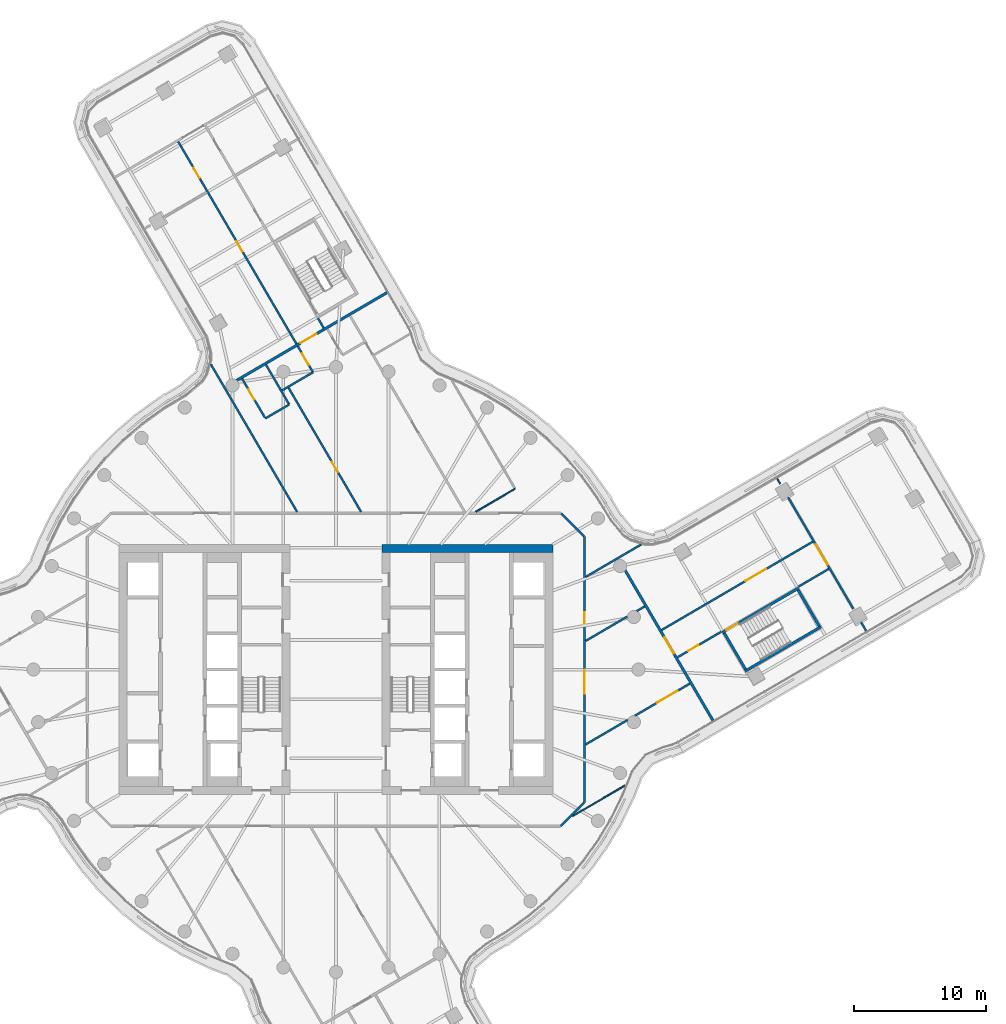
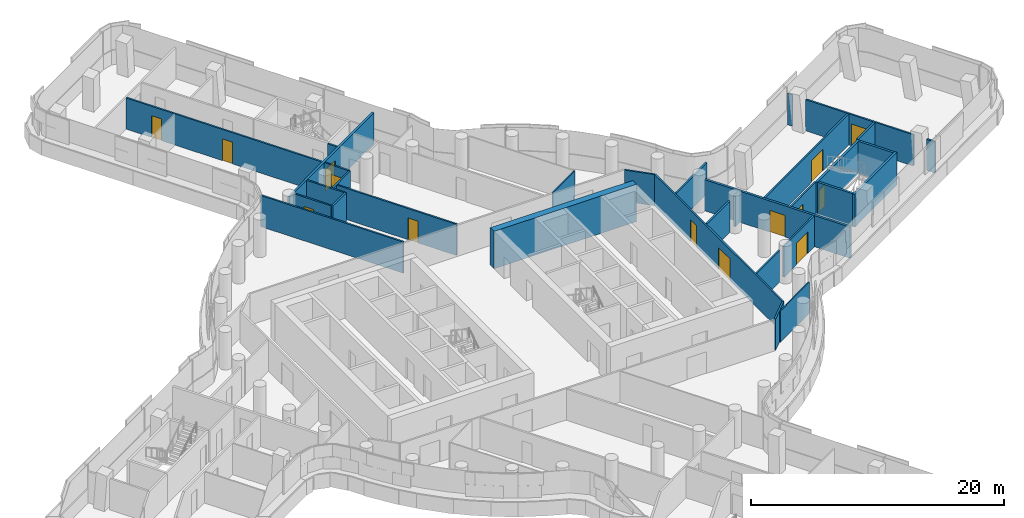
# One storey, part 24 of 35: 31 walls, 14 doors, 14 openings.
"""IFC4 building model written with IfcOpenShell, lengths in metres."""

from ifc_helpers import new_model, si_unit, direction, frame, frame_2d, origin, place, context, subcontext, project, spatial, polyline, rectangle, outline, extrude, material, layer, layer_set, type_object, element, fill, save


model = new_model("IFC4")

# Units and contexts
model_context = context("Model", 3, precision=1e-05, world=origin(), true_north=direction((0.0, 1.0)))
body_context = subcontext(model_context, "Body", "Model", "MODEL_VIEW")
ifc_project = project(units=[si_unit("LENGTHUNIT", "METRE"), si_unit("AREAUNIT", "SQUARE_METRE"), si_unit("VOLUMEUNIT", "CUBIC_METRE"), si_unit("PLANEANGLEUNIT", "RADIAN"), si_unit("MASSUNIT", "GRAM", prefix="KILO")], contexts=[model_context])

# Site, building, storey
site_placement = place(None, origin())
site = spatial("IfcSite", under=ifc_project, at=site_placement, CompositionType="ELEMENT")
building_placement = place(site_placement, origin())
building = spatial("IfcBuilding", under=site, at=building_placement, Name="Tamarind Cross Interchange Tower", CompositionType="ELEMENT")
storey_placement = place(building_placement, frame((0.0, 0.0, 144.25)))
storey = spatial("IfcBuildingStorey", under=building, at=storey_placement, Name="L35", CompositionType="ELEMENT", Elevation=144.25)

# Walls
ifc_material_1 = material(Name="Concrete C60", Category="concrete")
ifc_layer_1 = layer(ifc_material_1, 0.60009765625)
ifc_layer_set_1 = layer_set([ifc_layer_1], Name="Concrete C60")
wall_type_1 = type_object("IfcWallType", Name="Core wall 600 mm Concrete C60", PredefinedType="SHEAR", material=ifc_layer_set_1)
wall_1_placement = place(storey_placement, frame((16.5, 9.199951171875, 0.0), z_axis=(0.0, 0.0, 1.0), x_axis=(-1.0, 0.0, 0.0)))
element("IfcWall", 1, at=wall_1_placement, inside=storey, type_object=wall_type_1, Name="Core wall CWL-L35-E-NE", PredefinedType="SHEAR", context=body_context, shape_type="SweptSolid", body=[
    extrude(rectangle(XDim=13.0, YDim=0.60009765625, at=frame_2d((6.5, 0.0))), origin(), (0.0, 0.0, 1.0), 3.610107421875),
])
ifc_material_2 = material(Name="Gypsum board partition on steel studs", Category="steel")
ifc_layer_2 = layer(ifc_material_2, 0.10009765625)
ifc_layer_set_2 = layer_set([ifc_layer_2], Name="Gypsum board partition on steel studs")
wall_type_2 = type_object("IfcWallType", Name="Partition 100 mm EI 120", PredefinedType="PARTITIONING", material=ifc_layer_set_2)
wall_2_placement = place(storey_placement, frame((10.63330078125, 11.998291015625, 0.0), z_axis=(0.0, 0.0, 1.0), x_axis=(0.863323711201, 0.504650542136, 0.0)))
element("IfcWall", 2, at=wall_2_placement, inside=storey, type_object=wall_type_2, Name="Partition L35-061", PredefinedType="PARTITIONING", context=body_context, shape_type="SweptSolid", body=[
    extrude(rectangle(XDim=3.46533203125, YDim=0.10009765625, at=frame_2d((1.732666015625, 0.0))), origin(), (0.0, 0.0, 1.0), 3.010009765625),
])
wall_3_placement = place(storey_placement, frame((17.9921875, -11.144287109375, 0.0), z_axis=(0.0, 0.0, 1.0), x_axis=(0.863423214725, 0.504480279371, 0.0)))
element("IfcWall", 3, at=wall_3_placement, inside=storey, type_object=wall_type_2, Name="Partition L35-062", PredefinedType="PARTITIONING", context=body_context, shape_type="SweptSolid", body=[
    extrude(rectangle(XDim=4.63330078125, YDim=0.10009765625, at=frame_2d((2.316650390625, 0.0))), origin(), (0.0, 0.0, 1.0), 3.010009765625),
])
ifc_layer_3 = layer(ifc_material_2, 0.10009765625)
ifc_layer_set_3 = layer_set([ifc_layer_3], Name="Gypsum board partition on steel studs")
wall_type_3 = type_object("IfcWallType", Name="Partition 100 mm EI 90", PredefinedType="PARTITIONING", material=ifc_layer_set_3)
wall_4_placement = place(storey_placement, frame((33.548583984375, 14.527099609375, 0.0), z_axis=(0.0, 0.0, 1.0), x_axis=(0.504363499444, -0.863491436222, 0.0)))
element("IfcWall", 4, at=wall_4_placement, inside=storey, type_object=wall_type_3, Name="Partition L35-031", PredefinedType="PARTITIONING", context=body_context, shape_type="SweptSolid", body=[
    extrude(rectangle(XDim=0.462158203125, YDim=0.10009765625, at=frame_2d((0.23095703125, 0.0))), origin(), (0.0, 0.0, 1.0), 3.010009765625),
])

# Wall, openings, doors
ifc_layer_4 = layer(ifc_material_2, 0.14990234375)
ifc_layer_set_4 = layer_set([ifc_layer_4], Name="Gypsum board partition on steel studs")
wall_type_4 = type_object("IfcWallType", Name="Partition 150 mm EI 120", PredefinedType="PARTITIONING", material=ifc_layer_set_4)
wall_5_placement = place(storey_placement, frame((-11.997314453125, 40.152099609375, 0.0), z_axis=(0.0, 0.0, 1.0), x_axis=(0.504565342265, -0.863373508619, 0.0)))
wall_5 = element("IfcWall", 5, at=wall_5_placement, inside=storey, type_object=wall_type_4, Name="Partition L35-011", PredefinedType="PARTITIONING", context=body_context, shape_type="SweptSolid", body=[
    extrude(rectangle(XDim=20.305908203125, YDim=0.14990234375, at=frame_2d((10.15283203125, 0.0))), origin(), (0.0, 0.0, 1.0), 3.010009765625),
])
opening_1_placement = place(wall_5_placement, frame((18.67529296875, 0.0, 0.0)))
opening_1 = element("IfcOpeningElement", 6, at=opening_1_placement, cuts=wall_5, Name="Opening D03", PredefinedType="OPENING", context=body_context, shape_type="SweptSolid", body=[
    extrude(rectangle(XDim=1.0, YDim=2.10009765625, at=frame_2d((0.5, 1.050048828125))), frame((0.0, 0.0849609375, 0.0), z_axis=(0.0, -1.0, 0.0), x_axis=(1.0, 0.0, 0.0)), (0.0, 0.0, 1.0), 0.169921875),
])
opening_2_placement = place(wall_5_placement, frame((8.77587890625, 0.0, 0.0)))
opening_2 = element("IfcOpeningElement", 7, at=opening_2_placement, cuts=wall_5, Name="Opening D04", PredefinedType="OPENING", context=body_context, shape_type="SweptSolid", body=[
    extrude(rectangle(XDim=0.89990234375, YDim=2.10009765625, at=frame_2d((0.449951171875, 1.050048828125))), frame((0.0, 0.0849609375, 0.0), z_axis=(0.0, -1.0, 0.0), x_axis=(1.0, 0.0, 0.0)), (0.0, 0.0, 1.0), 0.169921875),
])
opening_3_placement = place(wall_5_placement, frame((2.324951171875, 0.0, 0.0)))
opening_3 = element("IfcOpeningElement", 8, at=opening_3_placement, cuts=wall_5, Name="Opening D05", PredefinedType="OPENING", context=body_context, shape_type="SweptSolid", body=[
    extrude(rectangle(XDim=0.89990234375, YDim=2.10009765625, at=frame_2d((0.449951171875, 1.050048828125))), frame((0.0, 0.0849609375, 0.0), z_axis=(0.0, -1.0, 0.0), x_axis=(1.0, 0.0, 0.0)), (0.0, 0.0, 1.0), 0.169921875),
])
ifc_material_3 = material(Name="Fire-resisting door set")
door_type_1 = type_object("IfcDoorType", Name="Interior door 1000 x 2100 FD60S", OperationType="SINGLE_SWING_LEFT", PredefinedType="DOOR", material=ifc_material_3)
door_1_placement = place(opening_1_placement, frame((1.0, 0.0, 0.0), z_axis=(0.0, 0.0, 1.0), x_axis=(-1.0, 0.0, 0.0)))
door_1 = element("IfcDoor", 9, at=door_1_placement, inside=storey, type_object=door_type_1, Name="Door D03", OperationType="SINGLE_SWING_RIGHT", OverallHeight=2.10009765625, OverallWidth=1.0, PredefinedType="DOOR", context=body_context, shape_type="SweptSolid", body=[
    extrude(rectangle(XDim=1.0, YDim=2.10009765625, at=frame_2d((0.5, 1.050048828125))), frame((0.0, 0.02490234375, 0.0), z_axis=(0.0, -1.0, 0.0), x_axis=(1.0, 0.0, 0.0)), (0.0, 0.0, 1.0), 0.050048828125),
])
fill(opening_1, door_1)
door_type_2 = type_object("IfcDoorType", Name="Interior door 900 x 2100 FD60S", OperationType="SINGLE_SWING_LEFT", PredefinedType="DOOR", material=ifc_material_3)
door_2_placement = place(opening_2_placement, frame((0.89990234375, 0.0, 0.0), z_axis=(0.0, 0.0, 1.0), x_axis=(-1.0, 0.0, 0.0)))
door_2 = element("IfcDoor", 10, at=door_2_placement, inside=storey, type_object=door_type_2, Name="Door D04", OperationType="SINGLE_SWING_LEFT", OverallHeight=2.10009765625, OverallWidth=0.89990234375, PredefinedType="DOOR", context=body_context, shape_type="SweptSolid", body=[
    extrude(rectangle(XDim=0.89990234375, YDim=2.10009765625, at=frame_2d((0.449951171875, 1.050048828125))), frame((0.0, 0.02490234375, 0.0), z_axis=(0.0, -1.0, 0.0), x_axis=(1.0, 0.0, 0.0)), (0.0, 0.0, 1.0), 0.050048828125),
])
fill(opening_2, door_2)
door_3_placement = place(opening_3_placement, frame((0.89990234375, 0.0, 0.0), z_axis=(0.0, 0.0, 1.0), x_axis=(-1.0, 0.0, 0.0)))
door_3 = element("IfcDoor", 11, at=door_3_placement, inside=storey, type_object=door_type_2, Name="Door D05", OperationType="SINGLE_SWING_LEFT", OverallHeight=2.10009765625, OverallWidth=0.89990234375, PredefinedType="DOOR", context=body_context, shape_type="SweptSolid", body=[
    extrude(rectangle(XDim=0.89990234375, YDim=2.10009765625, at=frame_2d((0.449951171875, 1.050048828125))), frame((0.0, 0.02490234375, 0.0), z_axis=(0.0, -1.0, 0.0), x_axis=(1.0, 0.0, 0.0)), (0.0, 0.0, 1.0), 0.050048828125),
])
fill(opening_3, door_3)

# Walls
wall_6_placement = place(storey_placement, frame((-1.365478515625, 26.715087890625, 0.0), z_axis=(0.0, 0.0, 1.0), x_axis=(0.504611977956, -0.863346252499, 0.0)))
element("IfcWall", 12, at=wall_6_placement, inside=storey, type_object=wall_type_4, Name="Partition L35-013", PredefinedType="PARTITIONING", context=body_context, shape_type="SweptSolid", body=[
    extrude(rectangle(XDim=0.860107421875, YDim=0.14990234375, at=frame_2d((0.43017578125, 0.0))), origin(), (0.0, 0.0, 1.0), 3.010009765625),
])
wall_7_placement = place(storey_placement, frame((-9.515625, 23.22021484375, 0.0), z_axis=(0.0, 0.0, 1.0), x_axis=(0.504508390898, -0.863406789128, 0.0)))
element("IfcWall", 13, at=wall_7_placement, inside=storey, type_object=wall_type_4, Name="Partition L35-016", PredefinedType="PARTITIONING", context=body_context, shape_type="SweptSolid", body=[
    extrude(rectangle(XDim=13.0009765625, YDim=0.14990234375, at=frame_2d((6.50048828125, 0.0))), origin(), (0.0, 0.0, 1.0), 3.010009765625),
])

# Wall, opening, door
wall_8_placement = place(storey_placement, frame((-7.133544921875, 22.11669921875, 0.0), z_axis=(0.0, 0.0, 1.0), x_axis=(0.504522469431, -0.863398562565, 0.0)))
wall_8 = element("IfcWall", 14, at=wall_8_placement, inside=storey, type_object=wall_type_4, Name="Partition L35-017", PredefinedType="PARTITIONING", context=body_context, shape_type="SweptSolid", body=[
    extrude(rectangle(XDim=3.424560546875, YDim=0.14990234375, at=frame_2d((1.71240234375, 0.0))), origin(), (0.0, 0.0, 1.0), 3.010009765625),
])
opening_4_placement = place(wall_8_placement, frame((0.949951171875, 0.0, 0.0)))
opening_4 = element("IfcOpeningElement", 15, at=opening_4_placement, cuts=wall_8, Name="Opening D09", PredefinedType="OPENING", context=body_context, shape_type="SweptSolid", body=[
    extrude(rectangle(XDim=0.89990234375, YDim=2.10009765625, at=frame_2d((0.449951171875, 1.050048828125))), frame((0.0, 0.0849609375, 0.0), z_axis=(0.0, -1.0, 0.0), x_axis=(1.0, 0.0, 0.0)), (0.0, 0.0, 1.0), 0.169921875),
])
door_4_placement = place(opening_4_placement, origin())
door_4 = element("IfcDoor", 16, at=door_4_placement, inside=storey, type_object=door_type_2, Name="Door D09", OperationType="SINGLE_SWING_RIGHT", OverallHeight=2.10009765625, OverallWidth=0.89990234375, PredefinedType="DOOR", context=body_context, shape_type="SweptSolid", body=[
    extrude(rectangle(XDim=0.89990234375, YDim=2.10009765625, at=frame_2d((0.449951171875, 1.050048828125))), frame((0.0, 0.02490234375, 0.0), z_axis=(0.0, -1.0, 0.0), x_axis=(1.0, 0.0, 0.0)), (0.0, 0.0, 1.0), 0.050048828125),
])
fill(opening_4, door_4)

# Wall
wall_9_placement = place(storey_placement, frame((-5.318115234375, 23.17236328125, 0.0), z_axis=(0.0, 0.0, 1.0), x_axis=(0.504499996909, -0.863411693874, 0.0)))
element("IfcWall", 17, at=wall_9_placement, inside=storey, type_object=wall_type_4, Name="Partition L35-018", PredefinedType="PARTITIONING", context=body_context, shape_type="SweptSolid", body=[
    extrude(rectangle(XDim=3.474609375, YDim=0.14990234375, at=frame_2d((1.7373046875, 0.0))), origin(), (0.0, 0.0, 1.0), 3.010009765625),
])

# Wall, opening, door
wall_10_placement = place(storey_placement, frame((-3.604248046875, 21.42919921875, 0.0), z_axis=(0.0, 0.0, 1.0), x_axis=(0.504518269276, -0.86340101689, 0.0)))
wall_10 = element("IfcWall", 18, at=wall_10_placement, inside=storey, type_object=wall_type_4, Name="Partition L35-019", PredefinedType="PARTITIONING", context=body_context, shape_type="SweptSolid", body=[
    extrude(rectangle(XDim=10.9267578125, YDim=0.14990234375, at=frame_2d((5.46337890625, 0.0))), origin(), (0.0, 0.0, 1.0), 3.010009765625),
])
opening_5_placement = place(wall_10_placement, frame((6.52490234375, 0.0, 0.0)))
opening_5 = element("IfcOpeningElement", 19, at=opening_5_placement, cuts=wall_10, Name="Opening D10", PredefinedType="OPENING", context=body_context, shape_type="SweptSolid", body=[
    extrude(rectangle(XDim=0.89990234375, YDim=2.10009765625, at=frame_2d((0.449951171875, 1.050048828125))), frame((0.0, 0.0849609375, 0.0), z_axis=(0.0, -1.0, 0.0), x_axis=(1.0, 0.0, 0.0)), (0.0, 0.0, 1.0), 0.169921875),
])
door_5_placement = place(opening_5_placement, frame((0.89990234375, 0.0, 0.0), z_axis=(0.0, 0.0, 1.0), x_axis=(-1.0, 0.0, 0.0)))
door_5 = element("IfcDoor", 20, at=door_5_placement, inside=storey, type_object=door_type_2, Name="Door D10", OperationType="SINGLE_SWING_RIGHT", OverallHeight=2.10009765625, OverallWidth=0.89990234375, PredefinedType="DOOR", context=body_context, shape_type="SweptSolid", body=[
    extrude(rectangle(XDim=0.89990234375, YDim=2.10009765625, at=frame_2d((0.449951171875, 1.050048828125))), frame((0.0, 0.02490234375, 0.0), z_axis=(0.0, -1.0, 0.0), x_axis=(1.0, 0.0, 0.0)), (0.0, 0.0, 1.0), 0.050048828125),
])
fill(opening_5, door_5)

wall_11_placement = place(storey_placement, frame((34.38330078125, 13.098388671875, 0.0), z_axis=(0.0, 0.0, 1.0), x_axis=(0.50438943911, -0.863476284396, 0.0)))
wall_11 = element("IfcWall", 21, at=wall_11_placement, inside=storey, type_object=wall_type_4, Name="Partition L35-032", PredefinedType="PARTITIONING", context=body_context, shape_type="SweptSolid", body=[
    extrude(rectangle(XDim=9.807373046875, YDim=0.14990234375, at=frame_2d((4.90380859375, 0.0))), origin(), (0.0, 0.0, 1.0), 3.010009765625),
])
opening_6_placement = place(wall_11_placement, frame((4.16162109375, 0.0, 0.0)))
opening_6 = element("IfcOpeningElement", 22, at=opening_6_placement, cuts=wall_11, Name="Opening D19", PredefinedType="OPENING", context=body_context, shape_type="SweptSolid", body=[
    extrude(rectangle(XDim=1.800048828125, YDim=2.10009765625, at=frame_2d((0.89990234375, 1.050048828125))), frame((0.0, 0.0849609375, 0.0), z_axis=(0.0, -1.0, 0.0), x_axis=(1.0, 0.0, 0.0)), (0.0, 0.0, 1.0), 0.169921875),
])
door_type_3 = type_object("IfcDoorType", Name="Interior door 1800 x 2100 FD60S", OperationType="DOUBLE_DOOR_SINGLE_SWING", PredefinedType="DOOR", material=ifc_material_3)
door_6_placement = place(opening_6_placement, frame((1.800048828125, 0.0, 0.0), z_axis=(0.0, 0.0, 1.0), x_axis=(-1.0, 0.0, 0.0)))
door_6 = element("IfcDoor", 23, at=door_6_placement, inside=storey, type_object=door_type_3, Name="Door D19", OperationType="DOUBLE_DOOR_SINGLE_SWING", OverallHeight=2.10009765625, OverallWidth=1.800048828125, PredefinedType="DOOR", context=body_context, shape_type="SweptSolid", body=[
    extrude(rectangle(XDim=1.800048828125, YDim=2.10009765625, at=frame_2d((0.89990234375, 1.050048828125))), frame((0.0, 0.02490234375, 0.0), z_axis=(0.0, -1.0, 0.0), x_axis=(1.0, 0.0, 0.0)), (0.0, 0.0, 1.0), 0.050048828125),
])
fill(opening_6, door_6)

# Walls
wall_12_placement = place(storey_placement, frame((39.931884765625, 3.599609375, 0.0), z_axis=(0.0, 0.0, 1.0), x_axis=(0.504729740668, -0.863277411314, 0.0)))
element("IfcWall", 24, at=wall_12_placement, inside=storey, type_object=wall_type_4, Name="Partition L35-033", PredefinedType="PARTITIONING", context=body_context, shape_type="SweptSolid", body=[
    extrude(rectangle(XDim=0.760009765625, YDim=0.14990234375, at=frame_2d((0.3798828125, 0.0))), origin(), (0.0, 0.0, 1.0), 3.010009765625),
])
wall_13_placement = place(storey_placement, frame((17.12841796875, 11.87158203125, 0.0), z_axis=(0.0, 0.0, 1.0), x_axis=(0.707106781187, -0.707106781187, 0.0)))
element("IfcWall", 25, at=wall_13_placement, inside=storey, type_object=wall_type_4, Name="Partition L35-035", PredefinedType="PARTITIONING", context=body_context, shape_type="SweptSolid", body=[
    extrude(rectangle(XDim=2.465087890625, YDim=0.14990234375, at=frame_2d((1.232421875, 0.0))), origin(), (0.0, 0.0, 1.0), 3.010009765625),
])
wall_14_placement = place(storey_placement, frame((-5.367919921875, 19.094970703125, 0.0), z_axis=(0.0, 0.0, 1.0), x_axis=(0.863264064629, 0.504752567819, 0.0)))
element("IfcWall", 26, at=wall_14_placement, inside=storey, type_object=wall_type_4, Name="Partition L35-054", PredefinedType="PARTITIONING", context=body_context, shape_type="SweptSolid", body=[
    extrude(rectangle(XDim=2.10009765625, YDim=0.14990234375, at=frame_2d((1.050048828125, 0.0))), origin(), (0.0, 0.0, 1.0), 3.010009765625),
])
wall_15_placement = place(storey_placement, frame((-4.09521484375, 21.22900390625, 0.0), z_axis=(0.0, 0.0, 1.0), x_axis=(0.863209703011, 0.504845529472, 0.0)))
element("IfcWall", 27, at=wall_15_placement, inside=storey, type_object=wall_type_4, Name="Partition L35-056", PredefinedType="PARTITIONING", context=body_context, shape_type="SweptSolid", body=[
    extrude(rectangle(XDim=2.72509765625, YDim=0.14990234375, at=frame_2d((1.362548828125, 0.0))), origin(), (0.0, 0.0, 1.0), 3.010009765625),
])
wall_16_placement = place(storey_placement, frame((18.9951171875, -5.693603515625, 0.0), z_axis=(0.0, 0.0, 1.0), x_axis=(0.863366335697, 0.504577615818, 0.0)))
element("IfcWall", 28, at=wall_16_placement, inside=storey, type_object=wall_type_4, Name="Partition L35-063", PredefinedType="PARTITIONING", context=body_context, shape_type="SweptSolid", body=[
    extrude(rectangle(XDim=3.694091796875, YDim=0.14990234375, at=frame_2d((1.84716796875, 0.0))), origin(), (0.0, 0.0, 1.0), 3.010009765625),
])

# Wall, opening, door
wall_17_placement = place(storey_placement, frame((22.73681640625, -3.507080078125, 0.0), z_axis=(0.0, 0.0, 1.0), x_axis=(0.863390233873, 0.504536722205, 0.0)))
wall_17 = element("IfcWall", 29, at=wall_17_placement, inside=storey, type_object=wall_type_4, Name="Partition L35-064", PredefinedType="PARTITIONING", context=body_context, shape_type="SweptSolid", body=[
    extrude(rectangle(XDim=4.8330078125, YDim=0.14990234375, at=frame_2d((2.41650390625, 0.0))), origin(), (0.0, 0.0, 1.0), 3.010009765625),
])
opening_7_placement = place(wall_17_placement, frame((1.949951171875, 0.0, 0.0)))
opening_7 = element("IfcOpeningElement", 30, at=opening_7_placement, cuts=wall_17, Name="Opening D37", PredefinedType="OPENING", context=body_context, shape_type="SweptSolid", body=[
    extrude(rectangle(XDim=1.800048828125, YDim=2.10009765625, at=frame_2d((0.89990234375, 1.050048828125))), frame((0.0, 0.0849609375, 0.0), z_axis=(0.0, -1.0, 0.0), x_axis=(1.0, 0.0, 0.0)), (0.0, 0.0, 1.0), 0.169921875),
])
door_7_placement = place(opening_7_placement, frame((1.800048828125, 0.0, 0.0), z_axis=(0.0, 0.0, 1.0), x_axis=(-1.0, 0.0, 0.0)))
door_7 = element("IfcDoor", 31, at=door_7_placement, inside=storey, type_object=door_type_3, Name="Door D37", OperationType="DOUBLE_DOOR_SINGLE_SWING", OverallHeight=2.10009765625, OverallWidth=1.800048828125, PredefinedType="DOOR", context=body_context, shape_type="SweptSolid", body=[
    extrude(rectangle(XDim=1.800048828125, YDim=2.10009765625, at=frame_2d((0.89990234375, 1.050048828125))), frame((0.0, 0.02490234375, 0.0), z_axis=(0.0, -1.0, 0.0), x_axis=(1.0, 0.0, 0.0)), (0.0, 0.0, 1.0), 0.050048828125),
])
fill(opening_7, door_7)

# Walls
wall_18_placement = place(storey_placement, frame((18.9951171875, 2.181396484375, 0.0), z_axis=(0.0, 0.0, 1.0), x_axis=(0.863310681939, 0.5046728311, 0.0)))
element("IfcWall", 32, at=wall_18_placement, inside=storey, type_object=wall_type_4, Name="Partition L35-065", PredefinedType="PARTITIONING", context=body_context, shape_type="SweptSolid", body=[
    extrude(rectangle(XDim=3.65283203125, YDim=0.14990234375, at=frame_2d((1.826416015625, 0.0))), origin(), (0.0, 0.0, 1.0), 3.010009765625),
])
wall_19_placement = place(storey_placement, frame((22.86865234375, 4.445556640625, 0.0), z_axis=(0.0, 0.0, 1.0), x_axis=(0.863490976758, 0.504364286065, 0.0)))
element("IfcWall", 33, at=wall_19_placement, inside=storey, type_object=wall_type_4, Name="Partition L35-066", PredefinedType="PARTITIONING", context=body_context, shape_type="SweptSolid", body=[
    extrude(rectangle(XDim=0.707763671875, YDim=0.14990234375, at=frame_2d((0.35400390625, 0.0))), origin(), (0.0, 0.0, 1.0), 3.010009765625),
])
wall_20_placement = place(storey_placement, frame((18.9951171875, 7.04638671875, 0.0), z_axis=(0.0, 0.0, 1.0), x_axis=(0.863429510598, 0.504469503765, 0.0)))
element("IfcWall", 34, at=wall_20_placement, inside=storey, type_object=wall_type_4, Name="Partition L35-067", PredefinedType="PARTITIONING", context=body_context, shape_type="SweptSolid", body=[
    extrude(rectangle(XDim=4.894287109375, YDim=0.14990234375, at=frame_2d((2.447265625, 0.0))), origin(), (0.0, 0.0, 1.0), 3.010009765625),
])

# Wall, opening, door
wall_21_placement = place(storey_placement, frame((24.76220703125, 3.00341796875, 0.0), z_axis=(0.0, 0.0, 1.0), x_axis=(0.863377230874, 0.504558972975, 0.0)))
wall_21 = element("IfcWall", 35, at=wall_21_placement, inside=storey, type_object=wall_type_4, Name="Partition L35-068", PredefinedType="PARTITIONING", context=body_context, shape_type="SweptSolid", body=[
    extrude(rectangle(XDim=13.32421875, YDim=0.14990234375, at=frame_2d((6.662109375, 0.0))), origin(), (0.0, 0.0, 1.0), 3.010009765625),
])
opening_8_placement = place(wall_21_placement, frame((7.39990234375, 0.0, 0.0)))
opening_8 = element("IfcOpeningElement", 36, at=opening_8_placement, cuts=wall_21, Name="Opening D38", PredefinedType="OPENING", context=body_context, shape_type="SweptSolid", body=[
    extrude(rectangle(XDim=1.800048828125, YDim=2.10009765625, at=frame_2d((0.89990234375, 1.050048828125))), frame((0.0, 0.0849609375, 0.0), z_axis=(0.0, -1.0, 0.0), x_axis=(1.0, 0.0, 0.0)), (0.0, 0.0, 1.0), 0.169921875),
])
door_8_placement = place(opening_8_placement, frame((1.800048828125, 0.0, 0.0), z_axis=(0.0, 0.0, 1.0), x_axis=(-1.0, 0.0, 0.0)))
door_8 = element("IfcDoor", 37, at=door_8_placement, inside=storey, type_object=door_type_3, Name="Door D38", OperationType="DOUBLE_DOOR_SINGLE_SWING", OverallHeight=2.10009765625, OverallWidth=1.800048828125, PredefinedType="DOOR", context=body_context, shape_type="SweptSolid", body=[
    extrude(rectangle(XDim=1.800048828125, YDim=2.10009765625, at=frame_2d((0.89990234375, 1.050048828125))), frame((0.0, 0.02490234375, 0.0), z_axis=(0.0, -1.0, 0.0), x_axis=(1.0, 0.0, 0.0)), (0.0, 0.0, 1.0), 0.050048828125),
])
fill(opening_8, door_8)

wall_22_placement = place(storey_placement, frame((25.976806640625, 0.93408203125, 0.0), z_axis=(0.0, 0.0, 1.0), x_axis=(0.863369794548, 0.504571697445, 0.0)))
wall_22 = element("IfcWall", 38, at=wall_22_placement, inside=storey, type_object=wall_type_4, Name="Partition L35-069", PredefinedType="PARTITIONING", context=body_context, shape_type="SweptSolid", body=[
    extrude(rectangle(XDim=3.85546875, YDim=0.14990234375, at=frame_2d((1.927734375, 0.0))), origin(), (0.0, 0.0, 1.0), 3.010009765625),
])
opening_9_placement = place(wall_22_placement, frame((0.945068359375, 0.0, 0.0)))
opening_9 = element("IfcOpeningElement", 39, at=opening_9_placement, cuts=wall_22, Name="Opening D39", PredefinedType="OPENING", context=body_context, shape_type="SweptSolid", body=[
    extrude(rectangle(XDim=0.89990234375, YDim=2.10009765625, at=frame_2d((0.449951171875, 1.050048828125))), frame((0.0, 0.0849609375, 0.0), z_axis=(0.0, -1.0, 0.0), x_axis=(1.0, 0.0, 0.0)), (0.0, 0.0, 1.0), 0.169921875),
])
door_9_placement = place(opening_9_placement, frame((0.89990234375, 0.0, 0.0), z_axis=(0.0, 0.0, 1.0), x_axis=(-1.0, 0.0, 0.0)))
door_9 = element("IfcDoor", 40, at=door_9_placement, inside=storey, type_object=door_type_2, Name="Door D39", OperationType="SINGLE_SWING_LEFT", OverallHeight=2.10009765625, OverallWidth=0.89990234375, PredefinedType="DOOR", context=body_context, shape_type="SweptSolid", body=[
    extrude(rectangle(XDim=0.89990234375, YDim=2.10009765625, at=frame_2d((0.449951171875, 1.050048828125))), frame((0.0, 0.02490234375, 0.0), z_axis=(0.0, -1.0, 0.0), x_axis=(1.0, 0.0, 0.0)), (0.0, 0.0, 1.0), 0.050048828125),
])
fill(opening_9, door_9)

# Walls
wall_23_placement = place(storey_placement, frame((35.15869140625, 6.2998046875, 0.0), z_axis=(0.0, 0.0, 1.0), x_axis=(0.863375551618, 0.504561846425, 0.0)))
element("IfcWall", 41, at=wall_23_placement, inside=storey, type_object=wall_type_4, Name="Partition L35-070", PredefinedType="PARTITIONING", context=body_context, shape_type="SweptSolid", body=[
    extrude(rectangle(XDim=2.68017578125, YDim=0.14990234375, at=frame_2d((1.340087890625, 0.0))), origin(), (0.0, 0.0, 1.0), 3.010009765625),
])
wall_24_placement = place(storey_placement, frame((17.10009765625, -11.89990234375, 0.0), z_axis=(0.0, 0.0, 1.0), x_axis=(0.707106781187, 0.707106781187, 0.0)))
element("IfcWall", 42, at=wall_24_placement, inside=storey, type_object=wall_type_4, Name="Partition L35-072", PredefinedType="PARTITIONING", context=body_context, shape_type="SweptSolid", body=[
    extrude(rectangle(XDim=2.50537109375, YDim=0.14990234375, at=frame_2d((1.252685546875, 0.0))), origin(), (0.0, 0.0, 1.0), 3.010009765625),
])

# Wall, openings, doors
wall_25_placement = place(storey_placement, frame((18.89990234375, -10.10009765625, 0.0), z_axis=(0.0, 0.0, 1.0), x_axis=(0.0, 1.0, 0.0)))
wall_25 = element("IfcWall", 43, at=wall_25_placement, inside=storey, type_object=wall_type_4, Name="Partition L35-074", PredefinedType="PARTITIONING", context=body_context, shape_type="SweptSolid", body=[
    extrude(rectangle(XDim=20.2001953125, YDim=0.14990234375, at=frame_2d((10.10009765625, 0.0))), origin(), (0.0, 0.0, 1.0), 3.010009765625),
])
opening_10_placement = place(wall_25_placement, frame((8.2509765625, 0.0, 0.0)))
opening_10 = element("IfcOpeningElement", 44, at=opening_10_placement, cuts=wall_25, Name="Opening D42", PredefinedType="OPENING", context=body_context, shape_type="SweptSolid", body=[
    extrude(rectangle(XDim=1.800048828125, YDim=2.10009765625, at=frame_2d((0.89990234375, 1.050048828125))), frame((0.0, 0.0849609375, 0.0), z_axis=(0.0, -1.0, 0.0), x_axis=(1.0, 0.0, 0.0)), (0.0, 0.0, 1.0), 0.169921875),
])
opening_11_placement = place(wall_25_placement, frame((13.575927734375, 0.0, 0.0)))
opening_11 = element("IfcOpeningElement", 45, at=opening_11_placement, cuts=wall_25, Name="Opening D43", PredefinedType="OPENING", context=body_context, shape_type="SweptSolid", body=[
    extrude(rectangle(XDim=0.89990234375, YDim=2.10009765625, at=frame_2d((0.449951171875, 1.050048828125))), frame((0.0, 0.0849609375, 0.0), z_axis=(0.0, -1.0, 0.0), x_axis=(1.0, 0.0, 0.0)), (0.0, 0.0, 1.0), 0.169921875),
])
door_10_placement = place(opening_10_placement, origin())
door_10 = element("IfcDoor", 46, at=door_10_placement, inside=storey, type_object=door_type_3, Name="Door D42", OperationType="DOUBLE_DOOR_SINGLE_SWING", OverallHeight=2.10009765625, OverallWidth=1.800048828125, PredefinedType="DOOR", context=body_context, shape_type="SweptSolid", body=[
    extrude(rectangle(XDim=1.800048828125, YDim=2.10009765625, at=frame_2d((0.89990234375, 1.050048828125))), frame((0.0, 0.02490234375, 0.0), z_axis=(0.0, -1.0, 0.0), x_axis=(1.0, 0.0, 0.0)), (0.0, 0.0, 1.0), 0.050048828125),
])
fill(opening_10, door_10)
door_11_placement = place(opening_11_placement, frame((0.89990234375, 0.0, 0.0), z_axis=(0.0, 0.0, 1.0), x_axis=(-1.0, 0.0, 0.0)))
door_11 = element("IfcDoor", 47, at=door_11_placement, inside=storey, type_object=door_type_2, Name="Door D43", OperationType="SINGLE_SWING_RIGHT", OverallHeight=2.10009765625, OverallWidth=0.89990234375, PredefinedType="DOOR", context=body_context, shape_type="SweptSolid", body=[
    extrude(rectangle(XDim=0.89990234375, YDim=2.10009765625, at=frame_2d((0.449951171875, 1.050048828125))), frame((0.0, 0.02490234375, 0.0), z_axis=(0.0, -1.0, 0.0), x_axis=(1.0, 0.0, 0.0)), (0.0, 0.0, 1.0), 0.050048828125),
])
fill(opening_11, door_11)

# Wall, opening, door
ifc_layer_5 = layer(ifc_material_2, 0.199951171875)
ifc_layer_set_5 = layer_set([ifc_layer_5], Name="Gypsum board partition on steel studs")
wall_type_5 = type_object("IfcWallType", Name="Partition 200 mm EI 180", PredefinedType="PARTITIONING", material=ifc_layer_set_5)
wall_26_placement = place(storey_placement, frame((21.9912109375, 7.548095703125, 0.0), z_axis=(0.0, 0.0, 1.0), x_axis=(0.504551750996, -0.863381451369, 0.0)))
wall_26 = element("IfcWall", 48, at=wall_26_placement, inside=storey, type_object=wall_type_5, Name="Partition L35-030", PredefinedType="PARTITIONING", context=body_context, shape_type="SweptSolid", body=[
    extrude(rectangle(XDim=13.220458984375, YDim=0.199951171875, at=frame_2d((6.6103515625, 0.0))), origin(), (0.0, 0.0, 1.0), 3.010009765625),
])
opening_12_placement = place(wall_26_placement, frame((5.921875, 0.0, 0.0)))
opening_12 = element("IfcOpeningElement", 49, at=opening_12_placement, cuts=wall_26, Name="Opening D18", PredefinedType="OPENING", context=body_context, shape_type="SweptSolid", body=[
    extrude(rectangle(XDim=1.39990234375, YDim=2.10009765625, at=frame_2d((0.699951171875, 1.050048828125))), frame((0.0, 0.10986328125, 0.0), z_axis=(0.0, -1.0, 0.0), x_axis=(1.0, 0.0, 0.0)), (0.0, 0.0, 1.0), 0.219970703125),
])
door_type_4 = type_object("IfcDoorType", Name="Interior door 1400 x 2100 FD120S", OperationType="DOUBLE_DOOR_SINGLE_SWING", PredefinedType="DOOR", material=ifc_material_3)
door_12_placement = place(opening_12_placement, frame((1.39990234375, 0.0, 0.0), z_axis=(0.0, 0.0, 1.0), x_axis=(-1.0, 0.0, 0.0)))
door_12 = element("IfcDoor", 50, at=door_12_placement, inside=storey, type_object=door_type_4, Name="Door D18", OperationType="DOUBLE_DOOR_SINGLE_SWING", OverallHeight=2.10009765625, OverallWidth=1.39990234375, PredefinedType="DOOR", context=body_context, shape_type="SweptSolid", body=[
    extrude(rectangle(XDim=1.39990234375, YDim=2.10009765625, at=frame_2d((0.699951171875, 1.050048828125))), frame((0.0, 0.02490234375, 0.0), z_axis=(0.0, -1.0, 0.0), x_axis=(1.0, 0.0, 0.0)), (0.0, 0.0, 1.0), 0.050048828125),
])
fill(opening_12, door_12)

wall_27_placement = place(storey_placement, frame((-7.763427734375, 21.86474609375, 0.0), z_axis=(0.0, 0.0, 1.0), x_axis=(0.863607279879, 0.504165117933, 0.0)))
wall_27 = element("IfcWall", 51, at=wall_27_placement, inside=storey, type_object=wall_type_5, Name="Partition L35-053", PredefinedType="PARTITIONING", context=body_context, shape_type="SweptSolid", body=[
    extrude(rectangle(XDim=13.47021484375, YDim=0.199951171875, at=frame_2d((6.735107421875, 0.0))), origin(), (0.0, 0.0, 1.0), 3.010009765625),
])
opening_13_placement = place(wall_27_placement, frame((5.87158203125, 0.0, 0.0)))
opening_13 = element("IfcOpeningElement", 52, at=opening_13_placement, cuts=wall_27, Name="Opening D34", PredefinedType="OPENING", context=body_context, shape_type="SweptSolid", body=[
    extrude(rectangle(XDim=1.39990234375, YDim=2.10009765625, at=frame_2d((0.699951171875, 1.050048828125))), frame((0.0, 0.10986328125, 0.0), z_axis=(0.0, -1.0, 0.0), x_axis=(1.0, 0.0, 0.0)), (0.0, 0.0, 1.0), 0.219970703125),
])
door_13_placement = place(opening_13_placement, frame((1.39990234375, 0.0, 0.0), z_axis=(0.0, 0.0, 1.0), x_axis=(-1.0, 0.0, 0.0)))
door_13 = element("IfcDoor", 53, at=door_13_placement, inside=storey, type_object=door_type_4, Name="Door D34", OperationType="DOUBLE_DOOR_SINGLE_SWING", OverallHeight=2.10009765625, OverallWidth=1.39990234375, PredefinedType="DOOR", context=body_context, shape_type="SweptSolid", body=[
    extrude(rectangle(XDim=1.39990234375, YDim=2.10009765625, at=frame_2d((0.699951171875, 1.050048828125))), frame((0.0, 0.02490234375, 0.0), z_axis=(0.0, -1.0, 0.0), x_axis=(1.0, 0.0, 0.0)), (0.0, 0.0, 1.0), 0.050048828125),
])
fill(opening_13, door_13)

ifc_material_4 = material(Name="Concrete C40", Category="concrete")
ifc_layer_6 = layer(ifc_material_4, 0.199951171875)
ifc_layer_set_6 = layer_set([ifc_layer_6], Name="Concrete C40")
wall_type_6 = type_object("IfcWallType", Name="Stair shaft wall 200 mm Concrete C40", PredefinedType="SHEAR", material=ifc_layer_set_6)
wall_28_placement = place(storey_placement, frame((29.390380859375, 2.812744140625, -0.139892578125), z_axis=(0.0, 0.0, 1.0), x_axis=(0.863399360713, 0.504521103542, 0.0)))
wall_28 = element("IfcWall", 54, at=wall_28_placement, inside=storey, type_object=wall_type_6, Name="Core wall CWL-L35-ST3-H", PredefinedType="SHEAR", context=body_context, shape_type="SweptSolid", body=[
    extrude(rectangle(XDim=6.7001953125, YDim=0.199951171875, at=frame_2d((3.35009765625, 0.0))), origin(), (0.0, 0.0, 1.0), 3.14990234375),
])
opening_14_placement = place(wall_28_placement, frame((0.35009765625, 0.0, 0.0)))
opening_14 = element("IfcOpeningElement", 55, at=opening_14_placement, cuts=wall_28, Name="Opening ST3L35", PredefinedType="OPENING", context=body_context, shape_type="SweptSolid", body=[
    extrude(rectangle(XDim=1.0, YDim=2.10009765625, at=frame_2d((0.5, 1.050048828125))), frame((0.0, 0.10986328125, 0.0), z_axis=(0.0, -1.0, 0.0), x_axis=(1.0, 0.0, 0.0)), (0.0, 0.0, 1.0), 0.219970703125),
])
ifc_material_5 = material(Name="Steel, fire-resisting", Category="steel")
door_type_5 = type_object("IfcDoorType", Name="Core fire door 1000 x 2100 FD90", OperationType="SINGLE_SWING_LEFT", PredefinedType="DOOR", material=ifc_material_5)
door_14_placement = place(opening_14_placement, origin())
door_14 = element("IfcDoor", 56, at=door_14_placement, inside=storey, type_object=door_type_5, Name="L35 stair door ST3", OperationType="SINGLE_SWING_LEFT", OverallHeight=2.10009765625, OverallWidth=1.0, PredefinedType="DOOR", context=body_context, shape_type="SweptSolid", body=[
    extrude(rectangle(XDim=1.0, YDim=2.10009765625, at=frame_2d((0.5, 1.050048828125))), frame((0.0, 0.02490234375, 0.0), z_axis=(0.0, -1.0, 0.0), x_axis=(1.0, 0.0, 0.0)), (0.0, 0.0, 1.0), 0.050048828125),
])
fill(opening_14, door_14)

# Walls
wall_29_placement = place(storey_placement, frame((31.105712890625, -0.122802734375, -0.139892578125), z_axis=(0.0, 0.0, 1.0), x_axis=(0.863399360713, 0.504521103542, 0.0)))
element("IfcWall", 57, at=wall_29_placement, inside=storey, type_object=wall_type_6, Name="Core wall CWL-L35-ST3-C", PredefinedType="SHEAR", context=body_context, shape_type="SweptSolid", body=[
    extrude(rectangle(XDim=6.7001953125, YDim=0.199951171875, at=frame_2d((3.35009765625, 0.0))), origin(), (0.0, 0.0, 1.0), 3.14990234375),
])
wall_30_placement = place(storey_placement, frame((31.1416015625, 0.013916015625, -0.139892578125), z_axis=(0.0, 0.0, 1.0), x_axis=(-0.504520750713, 0.863399566887, 0.0)))
element("IfcWall", 58, at=wall_30_placement, inside=storey, type_object=wall_type_6, Name="Core wall CWL-L35-ST3-CE", PredefinedType="SHEAR", context=body_context, shape_type="SweptSolid", body=[
    extrude(rectangle(XDim=3.199951171875, YDim=0.199951171875, at=frame_2d((1.60009765625, 0.0))), origin(), (0.0, 0.0, 1.0), 3.14990234375),
])
wall_31_placement = place(storey_placement, frame((0.0, 0.0, -0.139892578125)))
element("IfcWall", 59, at=wall_31_placement, inside=storey, type_object=wall_type_6, Name="Core wall CWL-L35-ST3-CF", PredefinedType="SHEAR", context=body_context, shape_type="SweptSolid", body=[
    extrude(outline(polyline([(36.66748046875, 3.242919921875), (36.840087890625, 3.34375), (35.2255859375, 6.106689453125), (35.052978515625, 6.005859375), (36.66748046875, 3.242919921875)])), origin(), (0.0, 0.0, 1.0), 3.14990234375),
])

save(model, "model.ifc")
